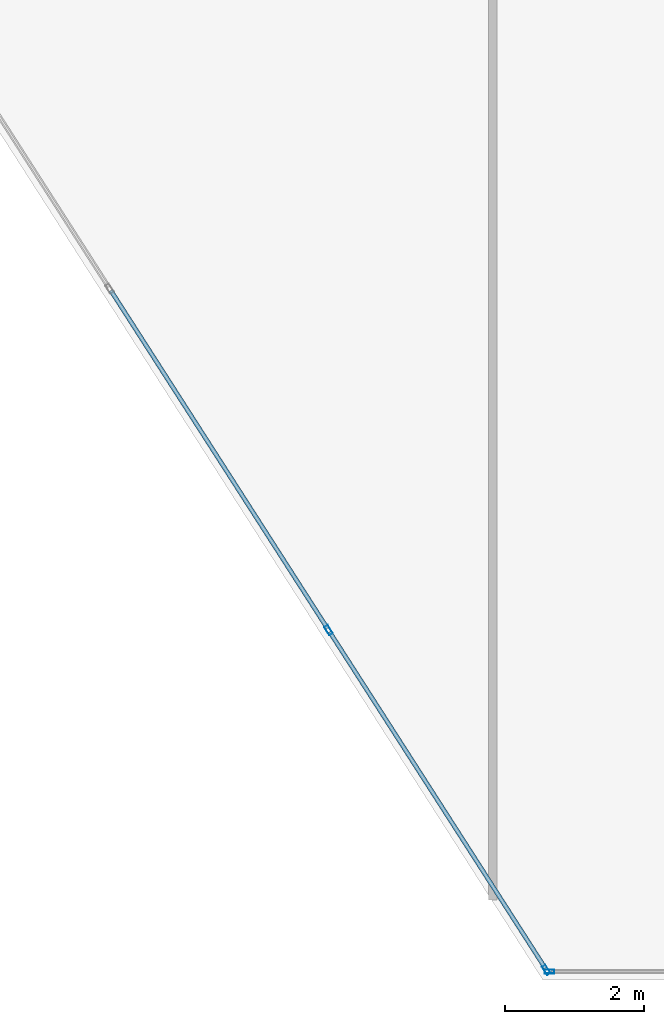
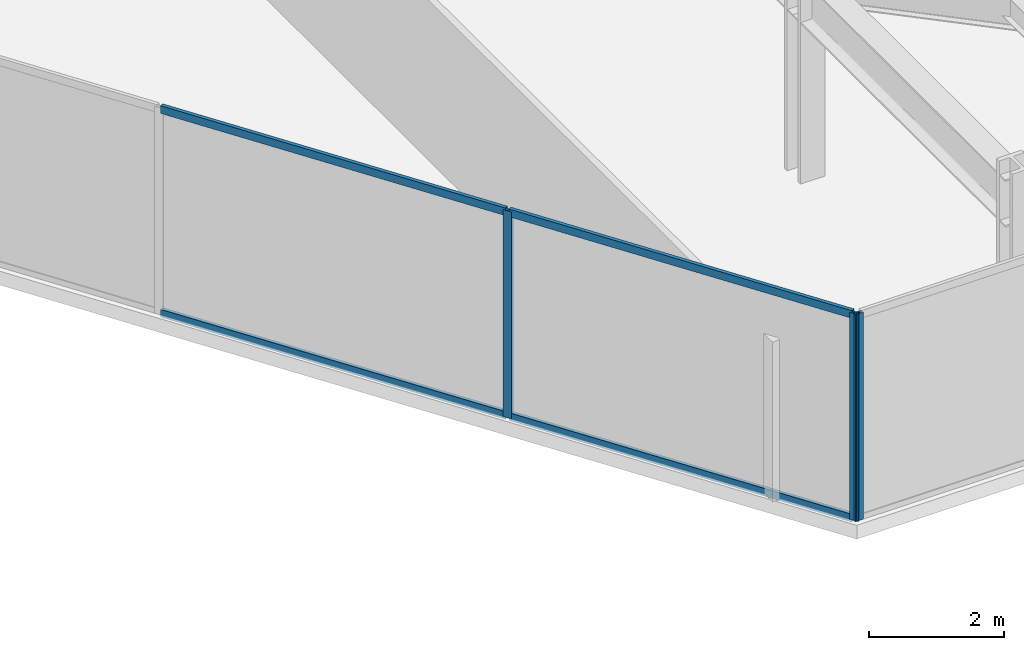
# One storey, part 15 of 26: 7 members, 2 elements without a shape of their own.
"""IFC4 building model written with IfcOpenShell, lengths in metres."""

from ifc_helpers import new_model, si_unit, direction, frame, origin, origin_2d, place, context, subcontext, project, spatial, hollow_rectangle, extrude, material, layer, layer_set, material_profile, profile_set, type_object, element, aggregate, save


model = new_model("IFC4")

# Units and contexts
model_context = context("Model", 3, precision=1e-05, world=origin(), true_north=direction((0.0, 1.0)))
body_context = subcontext(model_context, "Body", "Model", "MODEL_VIEW")
ifc_project = project(units=[si_unit("LENGTHUNIT", "METRE"), si_unit("AREAUNIT", "SQUARE_METRE"), si_unit("VOLUMEUNIT", "CUBIC_METRE"), si_unit("PLANEANGLEUNIT", "RADIAN"), si_unit("MASSUNIT", "GRAM", prefix="KILO")], contexts=[model_context])

# Site, building, storey
site_placement = place(None, origin())
site = spatial("IfcSite", under=ifc_project, at=site_placement, CompositionType="ELEMENT")
building_placement = place(site_placement, origin())
building = spatial("IfcBuilding", under=site, at=building_placement, Name="Kravanh Interchange Tower", CompositionType="ELEMENT")
storey_placement = place(building_placement, frame((0.0, 0.0, 124.0)))
storey = spatial("IfcBuildingStorey", under=building, at=storey_placement, Name="L29", CompositionType="ELEMENT", Elevation=124.0)

# Curtain wall, member
ifc_material_1 = material(Name="Anodised Bronze Aluminium", Category="aluminium")
ifc_layer = layer(ifc_material_1, 0.179931640625)
ifc_layer_set = layer_set([ifc_layer], Name="Unitised Curtain Wall System CW-Z2 Mid Office")
curtain_wall_type = type_object("IfcCurtainWallType", Name="Unitised Curtain Wall System CW-Z2 Mid Office", PredefinedType="NOTDEFINED", material=ifc_layer_set)
curtain_wall_1_placement = place(storey_placement, origin())
curtain_wall_1 = element("IfcCurtainWall", 1, at=curtain_wall_1_placement, inside=storey, type_object=curtain_wall_type, Name="L29 Unitised Curtain Wall CW-L29-03", PredefinedType="NOTDEFINED")
ifc_material_2 = material(Name="Anodised Bronze Aluminium", Category="aluminium")
ifc_material_profile_1 = material_profile(ifc_material_2, hollow_rectangle(XDim=0.06005859375, YDim=0.139892578125, WallThickness=0.00390625, at=origin_2d()), Name="ALU60X140X4")
ifc_profile_set_1 = profile_set([ifc_material_profile_1], Name="Anodised Bronze Aluminium")
member_type_1 = type_object("IfcMemberType", Name="Curtain Wall Mullion ALU60X140X4 Bronze", PredefinedType="MULLION", material=ifc_profile_set_1)
member_1_placement = place(storey_placement, frame((52.195556640625, 6.320068359375, 0.0), z_axis=(0.0, 0.0, 1.0), x_axis=(0.0, -1.0, 0.0)))
member_1 = element("IfcMember", 2, at=member_1_placement, type_object=member_type_1, Name="CW-Z2 mullion 3", PredefinedType="MULLION", context=body_context, shape_type="SweptSolid", body=[
    extrude(hollow_rectangle(XDim=0.06005859375, YDim=0.139892578125, WallThickness=0.00390625, at=origin_2d()), origin(), (0.0, 0.0, 1.0), 3.75),
])
aggregate(curtain_wall_1, [member_1])

# Curtain wall, members
curtain_wall_2_placement = place(storey_placement, origin())
curtain_wall_2 = element("IfcCurtainWall", 3, at=curtain_wall_2_placement, inside=storey, type_object=curtain_wall_type, Name="L29 Unitised Curtain Wall CW-L29-04", PredefinedType="NOTDEFINED")
member_2_placement = place(storey_placement, frame((52.1494140625, 6.34521484375, 0.0), z_axis=(0.0, 0.0, 1.0), x_axis=(-0.841879939476, -0.539664865919, 0.0)))
member_2 = element("IfcMember", 4, at=member_2_placement, type_object=member_type_1, Name="CW-Z2 mullion 1", PredefinedType="MULLION", context=body_context, shape_type="SweptSolid", body=[
    extrude(hollow_rectangle(XDim=0.06005859375, YDim=0.139892578125, WallThickness=0.00390625, at=origin_2d()), origin(), (0.0, 0.0, 1.0), 3.75),
])
member_3_placement = place(storey_placement, frame((49.024169921875, 11.220703125, 0.0), z_axis=(0.0, 0.0, 1.0), x_axis=(-0.841879939476, -0.539664865919, 0.0)))
member_3 = element("IfcMember", 5, at=member_3_placement, type_object=member_type_1, Name="CW-Z2 mullion 2", PredefinedType="MULLION", context=body_context, shape_type="SweptSolid", body=[
    extrude(hollow_rectangle(XDim=0.06005859375, YDim=0.139892578125, WallThickness=0.00390625, at=origin_2d()), origin(), (0.0, 0.0, 1.0), 3.75),
])
ifc_material_3 = material(Name="Anodised Bronze Aluminium", Category="aluminium")
ifc_material_profile_2 = material_profile(ifc_material_3, hollow_rectangle(XDim=0.06005859375, YDim=0.139892578125, WallThickness=0.00390625, at=origin_2d()), Name="ALU60X140X4")
ifc_profile_set_2 = profile_set([ifc_material_profile_2], Name="Anodised Bronze Aluminium")
member_type_2 = type_object("IfcMemberType", Name="Curtain Wall Transom ALU60X140X4 Bronze", PredefinedType="USERDEFINED", material=ifc_profile_set_2)
member_4_placement = place(storey_placement, frame((52.13330078125, 6.37060546875, 0.030029296875), z_axis=(-0.539697855812, 0.841858791266, 0.0), x_axis=(-0.841858791266, -0.539697855812, 0.0)))
member_4 = element("IfcMember", 6, at=member_4_placement, type_object=member_type_2, Name="CW-Z2 transom 1.1", ObjectType="TRANSOM", PredefinedType="USERDEFINED", context=body_context, shape_type="SweptSolid", body=[
    extrude(hollow_rectangle(XDim=0.06005859375, YDim=0.139892578125, WallThickness=0.00390625, at=origin_2d()), origin(), (0.0, 0.0, 1.0), 5.73095703125),
])
member_5_placement = place(storey_placement, frame((52.13330078125, 6.37060546875, 3.719970703125), z_axis=(-0.539697855812, 0.841858791266, 0.0), x_axis=(-0.841858791266, -0.539697855812, 0.0)))
member_5 = element("IfcMember", 7, at=member_5_placement, type_object=member_type_2, Name="CW-Z2 transom 1.2", ObjectType="TRANSOM", PredefinedType="USERDEFINED", context=body_context, shape_type="SweptSolid", body=[
    extrude(hollow_rectangle(XDim=0.06005859375, YDim=0.139892578125, WallThickness=0.00390625, at=origin_2d()), origin(), (0.0, 0.0, 1.0), 5.73095703125),
])
member_6_placement = place(storey_placement, frame((49.008056640625, 11.245849609375, 0.030029296875), z_axis=(-0.539677666788, 0.84187173368, 0.0), x_axis=(-0.84187173368, -0.539677666788, 0.0)))
member_6 = element("IfcMember", 8, at=member_6_placement, type_object=member_type_2, Name="CW-Z2 transom 2.1", ObjectType="TRANSOM", PredefinedType="USERDEFINED", context=body_context, shape_type="SweptSolid", body=[
    extrude(hollow_rectangle(XDim=0.06005859375, YDim=0.139892578125, WallThickness=0.00390625, at=origin_2d()), origin(), (0.0, 0.0, 1.0), 5.760986328125),
])
member_7_placement = place(storey_placement, frame((49.008056640625, 11.245849609375, 3.719970703125), z_axis=(-0.539677666788, 0.84187173368, 0.0), x_axis=(-0.84187173368, -0.539677666788, 0.0)))
member_7 = element("IfcMember", 9, at=member_7_placement, type_object=member_type_2, Name="CW-Z2 transom 2.2", ObjectType="TRANSOM", PredefinedType="USERDEFINED", context=body_context, shape_type="SweptSolid", body=[
    extrude(hollow_rectangle(XDim=0.06005859375, YDim=0.139892578125, WallThickness=0.00390625, at=origin_2d()), origin(), (0.0, 0.0, 1.0), 5.760986328125),
])
aggregate(curtain_wall_2, [member_2, member_3, member_4, member_5, member_6, member_7])

save(model, "model.ifc")
